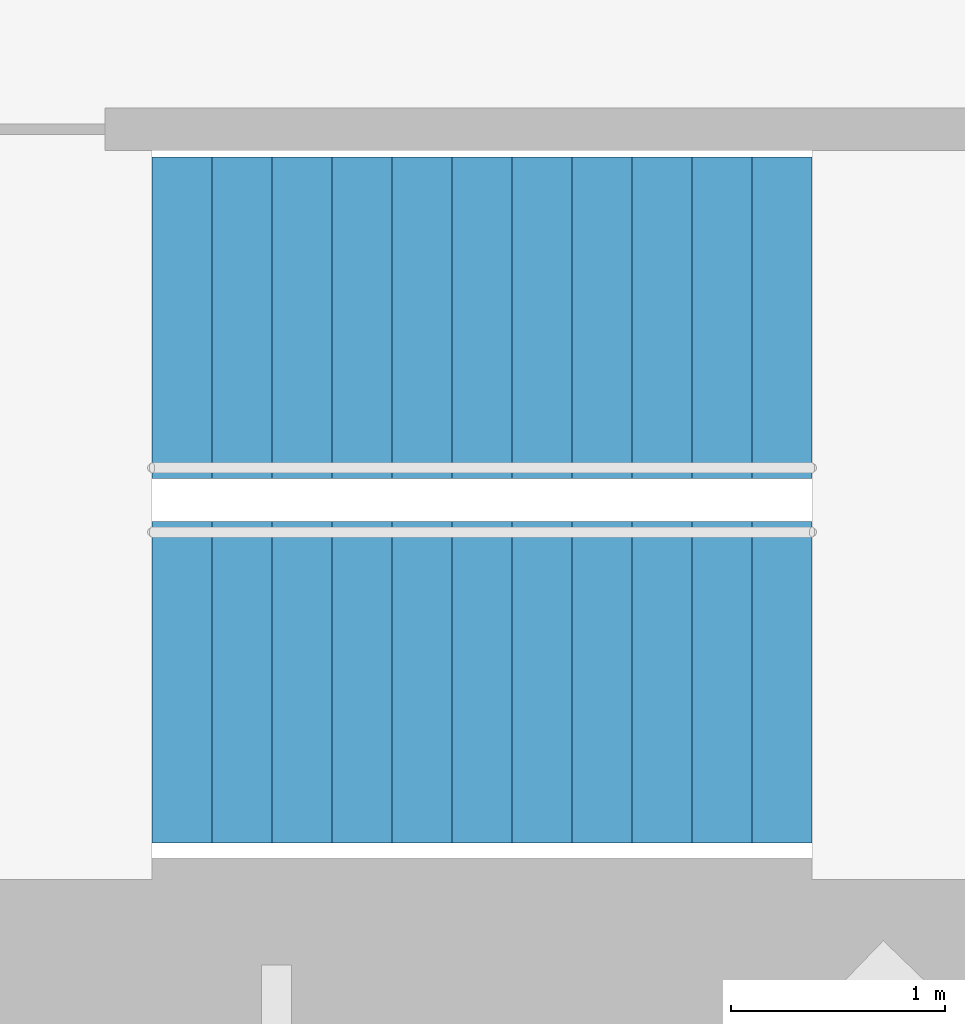
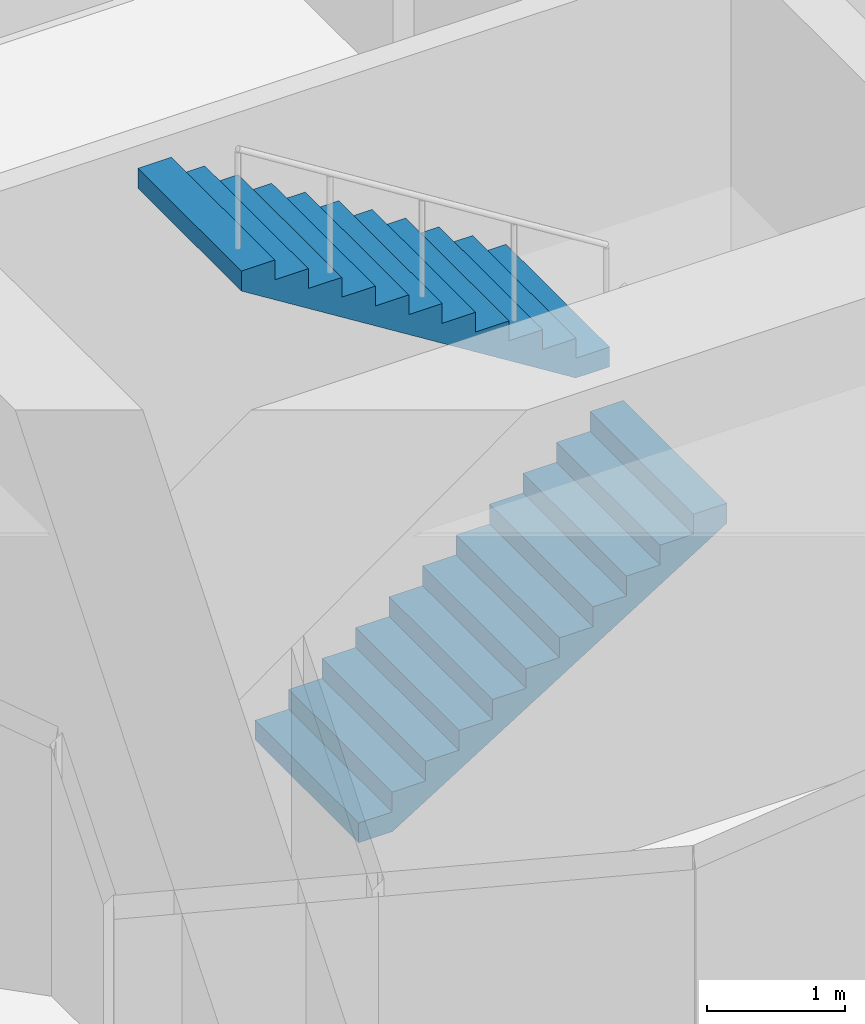
# One storey, part 16 of 18: 2 stair flights, 1 element without a shape of its own.
"""IFC4 building model written with IfcOpenShell, lengths in metres."""

import ifcopenshell
import ifcopenshell.guid

model = None  # the IFC model being written
_history = None  # IfcOwnerHistory: only IFC2X3 demands one
_inside = {}  # id of a spatial element -> (the spatial element, [elements in it])
_under = {}  # id of a project, library or spatial element -> (it, [spatial elements below it])
_declared = {}  # id of a project -> (the project, [libraries it declares])
_typed = {}  # id of a type object -> (the type object, [elements of that type])
_made_of = {}  # id of a material, layer set ... -> (it, [elements and type objects made of it])


def new_model(schema):
    """Start an empty IFC model of exactly this schema.

    Asked for "IFC4X3", IfcOpenShell would pick the latest addendum, in which some entities
    have other attributes; the version numbers below select the first issue.
    IFC2X3 requires an IfcOwnerHistory on every rooted entity: one is made here for all.
    """
    global model, _history
    if schema == "IFC4X3":
        model = ifcopenshell.file(schema_version=(4, 3, 0, 0))
    else:
        model = ifcopenshell.file(schema=schema)
    _inside.clear()
    _under.clear()
    _declared.clear()
    _typed.clear()
    _made_of.clear()
    _history = None
    if model.schema == "IFC2X3":
        org = make("IfcOrganization", Name="unknown")
        user = make(
            "IfcPersonAndOrganization",
            ThePerson=make("IfcPerson", FamilyName="unknown"),
            TheOrganization=org,
        )
        app = make(
            "IfcApplication",
            ApplicationDeveloper=org,
            Version="unknown",
            ApplicationFullName="unknown",
            ApplicationIdentifier="unknown",
        )
        _history = make(
            "IfcOwnerHistory",
            OwningUser=user,
            OwningApplication=app,
            ChangeAction="ADDED",
            CreationDate=0,
        )
    return model


def make(cls, **values):
    """One entity of the class cls with the attributes given. An attribute that is None is left unset."""
    return model.create_entity(
        cls, **{name: value for name, value in values.items() if value is not None}
    )


def rooted(cls, **values):
    """An entity with a GlobalId (a new one), such as an element, a storey or a relation."""
    return make(cls, GlobalId=ifcopenshell.guid.new(), OwnerHistory=_history, **values)


def si_unit(unit_type, name, prefix=None):
    """IfcSIUnit, for example si_unit("LENGTHUNIT", "METRE", prefix="MILLI")."""
    return make("IfcSIUnit", UnitType=unit_type, Prefix=prefix, Name=name)


def assignment(units):
    """IfcUnitAssignment: the units of a project."""
    return None if units is None else make("IfcUnitAssignment", Units=units)


def point(xyz):
    """IfcCartesianPoint."""
    return None if xyz is None else make("IfcCartesianPoint", Coordinates=xyz)


def direction(xyz):
    """IfcDirection."""
    return None if xyz is None else make("IfcDirection", DirectionRatios=xyz)


def frame(location, z_axis=None, x_axis=None):
    """IfcAxis2Placement3D, a coordinate frame: its origin and axes. An axis left out is left unset."""
    return make(
        "IfcAxis2Placement3D",
        Location=point(location),
        Axis=direction(z_axis),
        RefDirection=direction(x_axis),
    )


def origin():
    """The frame at (0, 0, 0) with its axes left unset."""
    return frame((0.0, 0.0, 0.0))


def place(relative_to, where):
    """IfcLocalPlacement: puts the frame where relative to a parent placement (None: the world)."""
    return make(
        "IfcLocalPlacement", PlacementRelTo=relative_to, RelativePlacement=where
    )


def context(
    kind, dimensions, precision=None, world=None, true_north=None, identifier=None
):
    """IfcGeometricRepresentationContext, for example the 3D "Model" context."""
    return make(
        "IfcGeometricRepresentationContext",
        ContextIdentifier=identifier,
        ContextType=kind,
        CoordinateSpaceDimension=dimensions,
        Precision=precision,
        WorldCoordinateSystem=world,
        TrueNorth=true_north,
    )


def subcontext(parent, identifier, kind, view, scale=None):
    """IfcGeometricRepresentationSubContext, for example "Body" below "Model"."""
    return make(
        "IfcGeometricRepresentationSubContext",
        ContextIdentifier=identifier,
        ContextType=kind,
        ParentContext=parent,
        TargetScale=scale,
        TargetView=view,
    )


def project(units=None, contexts=None):
    """IfcProject with its units and contexts."""
    return rooted(
        "IfcProject",
        Name="project",
        RepresentationContexts=contexts,
        UnitsInContext=assignment(units),
    )


def spatial(cls, under=None, at=None, **own):
    """A site, building, storey or space (cls), placed at a placement, below another one or the project."""
    s = rooted(cls, ObjectPlacement=at, **own)
    if under is not None:
        _under.setdefault(under.id(), (under, []))[1].append(s)
    return s


def point_list(points):
    """IfcCartesianPointList2D or 3D."""
    cls = (
        "IfcCartesianPointList2D" if len(points[0]) == 2 else "IfcCartesianPointList3D"
    )
    return make(cls, CoordList=points)


def triangles(points, corners, closed=None, point_numbers=None):
    """IfcTriangulatedFaceSet: each triangle names its three corners, points numbered from 1."""
    return make(
        "IfcTriangulatedFaceSet",
        Coordinates=point_list(points),
        Closed=closed,
        CoordIndex=corners,
        PnIndex=point_numbers,
    )


def shape(context_of_items, identifier, shape_type, items):
    """IfcShapeRepresentation: the items that make up one representation, for example the "Body"."""
    return make(
        "IfcShapeRepresentation",
        ContextOfItems=context_of_items,
        RepresentationIdentifier=identifier,
        RepresentationType=shape_type,
        Items=items,
    )


def material(Name=None, Category=None):
    """IfcMaterial."""
    return make("IfcMaterial", Name=Name, Category=Category)


def made_of(thing, what):
    """Note that an element or type object is made of a material, layer set ...; save() writes the relation."""
    if what is not None:
        _made_of.setdefault(what.id(), (what, []))[1].append(thing)
    return thing


def type_object(cls, material=None, **own):
    """A type object (cls), such as IfcWallType, which elements share."""
    return made_of(rooted(cls, **own), material)


def element(
    cls,
    number,
    at=None,
    inside=None,
    cuts=None,
    type_object=None,
    material=None,
    context=None,
    identifier="Body",
    shape_type=None,
    held_by="IfcProductDefinitionShape",
    body=None,
    shapes=None,
    **own,
):
    """One element of the class cls, such as IfcWall. Its Tag is "e" and its number.

    at: its placement. inside: the storey or other place that contains it. cuts: it is an
    opening in that element (IfcRelVoidsElement). A single representation is given by context,
    identifier, shape_type and body (its items); several are given by shapes. held_by: the class
    of the entity that holds the representations. save() writes the other relations.
    """
    e = rooted(cls, Tag="e%d" % number, ObjectPlacement=at, **own)
    if body is not None:
        shapes = [shape(context, identifier, shape_type, body)]
    if shapes is not None:
        e.Representation = make(held_by, Representations=shapes)
    if inside is not None:
        _inside.setdefault(inside.id(), (inside, []))[1].append(e)
    if cuts is not None:
        rooted(
            "IfcRelVoidsElement", RelatingBuildingElement=cuts, RelatedOpeningElement=e
        )
    if type_object is not None:
        _typed.setdefault(type_object.id(), (type_object, []))[1].append(e)
    return made_of(e, material)


def aggregate(whole, parts):
    """IfcRelAggregates: a whole, such as a stair, and the parts it consists of."""
    return rooted("IfcRelAggregates", RelatingObject=whole, RelatedObjects=parts)


def save(model, path):
    """Write the relations noted so far, then the file.

    IfcRelAggregates (storeys below a building ...), IfcRelContainedInSpatialStructure (elements
    in a storey), IfcRelDefinesByType, IfcRelAssociatesMaterial and IfcRelDeclares: one each for
    every whole, place, type object, material and project.
    """
    for whole, parts in _under.values():
        aggregate(whole, parts)
    for where, things in _inside.values():
        rooted(
            "IfcRelContainedInSpatialStructure",
            RelatedElements=things,
            RelatingStructure=where,
        )
    for kind, things in _typed.values():
        rooted("IfcRelDefinesByType", RelatedObjects=things, RelatingType=kind)
    for what, things in _made_of.values():
        rooted("IfcRelAssociatesMaterial", RelatedObjects=things, RelatingMaterial=what)
    for by, libraries in _declared.values():
        rooted("IfcRelDeclares", RelatingContext=by, RelatedDefinitions=libraries)
    model.write(path)


model = new_model("IFC4")

# Units and contexts
model_context = context("Model", 3, precision=1e-05, world=origin(), true_north=direction((0.0, 1.0)))
body_context = subcontext(model_context, "Body", "Model", "MODEL_VIEW")
ifc_project = project(units=[si_unit("LENGTHUNIT", "METRE"), si_unit("AREAUNIT", "SQUARE_METRE"), si_unit("VOLUMEUNIT", "CUBIC_METRE"), si_unit("PLANEANGLEUNIT", "RADIAN"), si_unit("MASSUNIT", "GRAM", prefix="KILO")], contexts=[model_context])

# Site, building, storey
site_placement = place(None, origin())
site = spatial("IfcSite", under=ifc_project, at=site_placement, CompositionType="ELEMENT")
building_placement = place(site_placement, origin())
building = spatial("IfcBuilding", under=site, at=building_placement, Name="Lantaw Convention Tower", CompositionType="ELEMENT")
storey_placement = place(building_placement, frame((0.0, 0.0, 236.800048828125)))
storey = spatial("IfcBuildingStorey", under=building, at=storey_placement, Name="L55", CompositionType="ELEMENT", Elevation=236.800048828125)

# Stair, stair flights
ifc_material = material(Name="Concrete C35/45", Category="concrete")
stair_type = type_object("IfcStairType", Name="Exit stair 1500 riser 175 in 2 flights", PredefinedType="HALF_TURN_STAIR", material=ifc_material)
stair_placement = place(storey_placement, origin())
stair = element("IfcStair", 1, at=stair_placement, inside=storey, type_object=stair_type, Name="Exit stair S1 L55", PredefinedType="HALF_TURN_STAIR")
stair_flight_type = type_object("IfcStairFlightType", Name="Stair flight 1500 riser 175", PredefinedType="STRAIGHT", material=ifc_material)
stair_flight_1_placement = place(storey_placement, frame((-10.580078125, -5.97998046875, 0.0), z_axis=(0.0, 0.0, 1.0), x_axis=(1.0, 0.0, 0.0)))
stair_flight_1 = element("IfcStairFlight", 2, at=stair_flight_1_placement, type_object=stair_flight_type, Name="S1 flight 1", NumberOfRisers=12, NumberOfTreads=11, PredefinedType="STRAIGHT", RiserHeight=0.175, TreadLength=0.28, context=body_context, shape_type="Tessellation", body=[
    triangles([(0.0, 0.75, 0.0), (0.0, 0.75, 0.175), (0.28, 0.75, 0.0), (0.28, 0.75, 0.175), (0.28, 0.75, 0.35), (0.28283517651771284, 0.75, 0.0), (0.28283517651771284, 0.75, 0.35), (0.56, 0.75, 0.17322801467642948), (0.56, 0.75, 0.35), (0.56, 0.75, 0.5249999999999999), (0.8400000000000001, 0.75, 0.34822801467642944), (0.8400000000000001, 0.75, 0.5249999999999999), (0.8400000000000001, 0.75, 0.7), (1.12, 0.75, 0.5232280146764294), (1.12, 0.75, 0.7), (1.12, 0.75, 0.875), (1.4000000000000001, 0.75, 0.6982280146764295), (1.4000000000000001, 0.75, 0.875), (1.4000000000000001, 0.75, 1.0499999999999998), (1.6800000000000002, 0.75, 0.8732280146764294), (1.6800000000000002, 0.75, 1.0499999999999998), (1.6800000000000002, 0.75, 1.2249999999999999), (1.9600000000000002, 0.75, 1.0482280146764293), (1.9600000000000002, 0.75, 1.2249999999999999), (1.9600000000000002, 0.75, 1.4), (2.24, 0.75, 1.2232280146764294), (2.24, 0.75, 1.4), (2.24, 0.75, 1.575), (2.5200000000000005, 0.75, 1.3982280146764294), (2.5200000000000005, 0.75, 1.575), (2.5200000000000005, 0.75, 1.75), (2.8000000000000003, 0.75, 1.5732280146764293), (2.8000000000000003, 0.75, 1.75), (2.8000000000000003, 0.75, 1.9249999999999998), (3.08, 0.75, 1.7482280146764293), (3.08, 0.75, 1.9249999999999998), (0.0, -0.75, 0.0), (0.0, -0.75, 0.175), (0.28, -0.75, 0.0), (0.28, -0.75, 0.175), (0.28, -0.75, 0.35), (0.28283517651771284, -0.75, 0.0), (0.28283517651771284, -0.75, 0.35), (0.56, -0.75, 0.17322801467642948), (0.56, -0.75, 0.35), (0.56, -0.75, 0.5249999999999999), (0.8400000000000001, -0.75, 0.34822801467642944), (0.8400000000000001, -0.75, 0.5249999999999999), (0.8400000000000001, -0.75, 0.7), (1.12, -0.75, 0.5232280146764294), (1.12, -0.75, 0.7), (1.12, -0.75, 0.875), (1.4000000000000001, -0.75, 0.6982280146764295), (1.4000000000000001, -0.75, 0.875), (1.4000000000000001, -0.75, 1.0499999999999998), (1.6800000000000002, -0.75, 0.8732280146764294), (1.6800000000000002, -0.75, 1.0499999999999998), (1.6800000000000002, -0.75, 1.2249999999999999), (1.9600000000000002, -0.75, 1.0482280146764293), (1.9600000000000002, -0.75, 1.2249999999999999), (1.9600000000000002, -0.75, 1.4), (2.24, -0.75, 1.2232280146764294), (2.24, -0.75, 1.4), (2.24, -0.75, 1.575), (2.5200000000000005, -0.75, 1.3982280146764294), (2.5200000000000005, -0.75, 1.575), (2.5200000000000005, -0.75, 1.75), (2.8000000000000003, -0.75, 1.5732280146764293), (2.8000000000000003, -0.75, 1.75), (2.8000000000000003, -0.75, 1.9249999999999998), (3.08, -0.75, 1.7482280146764293), (3.08, -0.75, 1.9249999999999998), (0.0, 0.15000000000000002, 0.175), (0.0, 0.15000000000000002, 0.0), (0.0, 0.0, 0.175), (0.0, 0.0, 0.0), (0.0, -0.15000000000000002, 0.175), (0.0, -0.15000000000000002, 0.0), (0.28, 0.15000000000000002, 0.35), (0.28, 0.15000000000000002, 0.175), (0.28, 0.0, 0.35), (0.28, 0.0, 0.175), (0.28, -0.15000000000000002, 0.35), (0.28, -0.15000000000000002, 0.175), (0.56, 0.15000000000000002, 0.5249999999999999), (0.56, 0.15000000000000002, 0.35), (0.56, 0.0, 0.5249999999999999), (0.56, 0.0, 0.35), (0.56, -0.15000000000000002, 0.5249999999999999), (0.56, -0.15000000000000002, 0.35), (0.8400000000000001, 0.15000000000000002, 0.7), (0.8400000000000001, 0.15000000000000002, 0.5249999999999999), (0.8400000000000001, 0.0, 0.7), (0.8400000000000001, 0.0, 0.5249999999999999), (0.8400000000000001, -0.15000000000000002, 0.7), (0.8400000000000001, -0.15000000000000002, 0.5249999999999999), (1.12, 0.15000000000000002, 0.875), (1.12, 0.15000000000000002, 0.7), (1.12, 0.0, 0.875), (1.12, 0.0, 0.7), (1.12, -0.15000000000000002, 0.875), (1.12, -0.15000000000000002, 0.7), (1.4000000000000001, 0.15000000000000002, 1.0499999999999998), (1.4000000000000001, 0.15000000000000002, 0.875), (1.4000000000000001, 0.0, 1.0499999999999998), (1.4000000000000001, 0.0, 0.875), (1.4000000000000001, -0.15000000000000002, 1.0499999999999998), (1.4000000000000001, -0.15000000000000002, 0.875), (1.6800000000000002, 0.15000000000000002, 1.2249999999999999), (1.6800000000000002, 0.15000000000000002, 1.0499999999999998), (1.6800000000000002, 0.0, 1.2249999999999999), (1.6800000000000002, 0.0, 1.0499999999999998), (1.6800000000000002, -0.15000000000000002, 1.2249999999999999), (1.6800000000000002, -0.15000000000000002, 1.0499999999999998), (1.9600000000000002, 0.15000000000000002, 1.4), (1.9600000000000002, 0.15000000000000002, 1.2249999999999999), (1.9600000000000002, 0.0, 1.4), (1.9600000000000002, 0.0, 1.2249999999999999), (1.9600000000000002, -0.15000000000000002, 1.4), (1.9600000000000002, -0.15000000000000002, 1.2249999999999999), (2.24, 0.15000000000000002, 1.575), (2.24, 0.15000000000000002, 1.4), (2.24, 0.0, 1.575), (2.24, 0.0, 1.4), (2.24, -0.15000000000000002, 1.575), (2.24, -0.15000000000000002, 1.4), (2.5200000000000005, 0.15000000000000002, 1.75), (2.5200000000000005, 0.15000000000000002, 1.575), (2.5200000000000005, 0.0, 1.75), (2.5200000000000005, 0.0, 1.575), (2.5200000000000005, -0.15000000000000002, 1.75), (2.5200000000000005, -0.15000000000000002, 1.575), (2.8000000000000003, 0.15000000000000002, 1.9249999999999998), (2.8000000000000003, 0.15000000000000002, 1.75), (2.8000000000000003, 0.0, 1.9249999999999998), (2.8000000000000003, 0.0, 1.75), (2.8000000000000003, -0.15000000000000002, 1.9249999999999998), (2.8000000000000003, -0.15000000000000002, 1.75), (0.28283517651771284, 0.15000000000000002, 0.35), (0.28283517651771284, 0.0, 0.35), (0.28283517651771284, -0.15000000000000002, 0.35), (3.08, 0.15000000000000002, 1.9249999999999998), (3.08, 0.0, 1.9249999999999998), (3.08, -0.15000000000000002, 1.9249999999999998), (3.08, 0.15000000000000002, 1.7482280146764293), (3.08, 0.0, 1.7482280146764293), (3.08, -0.15000000000000002, 1.7482280146764293), (2.8000000000000003, 0.15000000000000002, 1.5732280146764293), (2.8000000000000003, 0.0, 1.5732280146764293), (2.8000000000000003, -0.15000000000000002, 1.5732280146764293), (2.5200000000000005, 0.15000000000000002, 1.3982280146764294), (2.5200000000000005, 0.0, 1.3982280146764294), (2.5200000000000005, -0.15000000000000002, 1.3982280146764294), (2.24, 0.15000000000000002, 1.2232280146764294), (2.24, 0.0, 1.2232280146764294), (2.24, -0.15000000000000002, 1.2232280146764294), (1.9600000000000002, 0.15000000000000002, 1.0482280146764293), (1.9600000000000002, 0.0, 1.0482280146764293), (1.9600000000000002, -0.15000000000000002, 1.0482280146764293), (1.6800000000000002, 0.15000000000000002, 0.8732280146764294), (1.6800000000000002, 0.0, 0.8732280146764294), (1.6800000000000002, -0.15000000000000002, 0.8732280146764294), (1.4000000000000001, 0.15000000000000002, 0.6982280146764295), (1.4000000000000001, 0.0, 0.6982280146764295), (1.4000000000000001, -0.15000000000000002, 0.6982280146764295), (1.12, 0.15000000000000002, 0.5232280146764294), (1.12, 0.0, 0.5232280146764294), (1.12, -0.15000000000000002, 0.5232280146764294), (0.8400000000000001, 0.15000000000000002, 0.34822801467642944), (0.8400000000000001, 0.0, 0.34822801467642944), (0.8400000000000001, -0.15000000000000002, 0.34822801467642944), (0.56, 0.15000000000000002, 0.17322801467642948), (0.56, 0.0, 0.17322801467642948), (0.56, -0.15000000000000002, 0.17322801467642948), (0.28283517651771284, 0.15000000000000002, 0.0), (0.28283517651771284, 0.0, 0.0), (0.28283517651771284, -0.15000000000000002, 0.0), (0.28, 0.15000000000000002, 0.0), (0.28, 0.0, 0.0), (0.28, -0.15000000000000002, 0.0)], [[1, 4, 3], [1, 2, 4], [3, 4, 6], [4, 7, 6], [4, 5, 7], [6, 9, 8], [6, 7, 9], [8, 9, 11], [9, 12, 11], [9, 10, 12], [11, 12, 14], [12, 15, 14], [12, 13, 15], [14, 15, 17], [15, 18, 17], [15, 16, 18], [17, 18, 20], [18, 21, 20], [18, 19, 21], [20, 21, 23], [21, 24, 23], [21, 22, 24], [23, 24, 26], [24, 27, 26], [24, 25, 27], [26, 27, 29], [27, 30, 29], [27, 28, 30], [29, 30, 32], [30, 33, 32], [30, 31, 33], [32, 33, 35], [33, 36, 35], [33, 34, 36], [37, 39, 40], [37, 40, 38], [39, 42, 40], [40, 42, 43], [40, 43, 41], [42, 44, 45], [42, 45, 43], [44, 47, 45], [45, 47, 48], [45, 48, 46], [47, 50, 48], [48, 50, 51], [48, 51, 49], [50, 53, 51], [51, 53, 54], [51, 54, 52], [53, 56, 54], [54, 56, 57], [54, 57, 55], [56, 59, 57], [57, 59, 60], [57, 60, 58], [59, 62, 60], [60, 62, 63], [60, 63, 61], [62, 65, 63], [63, 65, 66], [63, 66, 64], [65, 68, 66], [66, 68, 69], [66, 69, 67], [68, 71, 69], [69, 71, 72], [69, 72, 70], [1, 73, 2], [1, 74, 73], [74, 75, 73], [74, 76, 75], [76, 77, 75], [76, 78, 77], [78, 38, 77], [78, 37, 38], [4, 79, 5], [4, 80, 79], [80, 81, 79], [80, 82, 81], [82, 83, 81], [82, 84, 83], [84, 41, 83], [84, 40, 41], [9, 85, 10], [9, 86, 85], [86, 87, 85], [86, 88, 87], [88, 89, 87], [88, 90, 89], [90, 46, 89], [90, 45, 46], [12, 91, 13], [12, 92, 91], [92, 93, 91], [92, 94, 93], [94, 95, 93], [94, 96, 95], [96, 49, 95], [96, 48, 49], [15, 97, 16], [15, 98, 97], [98, 99, 97], [98, 100, 99], [100, 101, 99], [100, 102, 101], [102, 52, 101], [102, 51, 52], [18, 103, 19], [18, 104, 103], [104, 105, 103], [104, 106, 105], [106, 107, 105], [106, 108, 107], [108, 55, 107], [108, 54, 55], [21, 109, 22], [21, 110, 109], [110, 111, 109], [110, 112, 111], [112, 113, 111], [112, 114, 113], [114, 58, 113], [114, 57, 58], [24, 115, 25], [24, 116, 115], [116, 117, 115], [116, 118, 117], [118, 119, 117], [118, 120, 119], [120, 61, 119], [120, 60, 61], [27, 121, 28], [27, 122, 121], [122, 123, 121], [122, 124, 123], [124, 125, 123], [124, 126, 125], [126, 64, 125], [126, 63, 64], [30, 127, 31], [30, 128, 127], [128, 129, 127], [128, 130, 129], [130, 131, 129], [130, 132, 131], [132, 67, 131], [132, 66, 67], [33, 133, 34], [33, 134, 133], [134, 135, 133], [134, 136, 135], [136, 137, 135], [136, 138, 137], [138, 70, 137], [138, 69, 70], [2, 80, 4], [2, 73, 80], [73, 82, 80], [73, 75, 82], [75, 84, 82], [75, 77, 84], [77, 40, 84], [77, 38, 40], [5, 139, 7], [5, 79, 139], [79, 140, 139], [79, 81, 140], [81, 141, 140], [81, 83, 141], [83, 43, 141], [83, 41, 43], [7, 86, 9], [7, 139, 86], [139, 88, 86], [139, 140, 88], [140, 90, 88], [140, 141, 90], [141, 45, 90], [141, 43, 45], [10, 92, 12], [10, 85, 92], [85, 94, 92], [85, 87, 94], [87, 96, 94], [87, 89, 96], [89, 48, 96], [89, 46, 48], [13, 98, 15], [13, 91, 98], [91, 100, 98], [91, 93, 100], [93, 102, 100], [93, 95, 102], [95, 51, 102], [95, 49, 51], [16, 104, 18], [16, 97, 104], [97, 106, 104], [97, 99, 106], [99, 108, 106], [99, 101, 108], [101, 54, 108], [101, 52, 54], [19, 110, 21], [19, 103, 110], [103, 112, 110], [103, 105, 112], [105, 114, 112], [105, 107, 114], [107, 57, 114], [107, 55, 57], [22, 116, 24], [22, 109, 116], [109, 118, 116], [109, 111, 118], [111, 120, 118], [111, 113, 120], [113, 60, 120], [113, 58, 60], [25, 122, 27], [25, 115, 122], [115, 124, 122], [115, 117, 124], [117, 126, 124], [117, 119, 126], [119, 63, 126], [119, 61, 63], [28, 128, 30], [28, 121, 128], [121, 130, 128], [121, 123, 130], [123, 132, 130], [123, 125, 132], [125, 66, 132], [125, 64, 66], [31, 134, 33], [31, 127, 134], [127, 136, 134], [127, 129, 136], [129, 138, 136], [129, 131, 138], [131, 69, 138], [131, 67, 69], [34, 142, 36], [34, 133, 142], [133, 143, 142], [133, 135, 143], [135, 144, 143], [135, 137, 144], [137, 72, 144], [137, 70, 72], [36, 145, 35], [36, 142, 145], [142, 146, 145], [142, 143, 146], [143, 147, 146], [143, 144, 147], [144, 71, 147], [144, 72, 71], [35, 148, 32], [35, 145, 148], [145, 149, 148], [145, 146, 149], [146, 150, 149], [146, 147, 150], [147, 68, 150], [147, 71, 68], [32, 151, 29], [32, 148, 151], [148, 152, 151], [148, 149, 152], [149, 153, 152], [149, 150, 153], [150, 65, 153], [150, 68, 65], [29, 154, 26], [29, 151, 154], [151, 155, 154], [151, 152, 155], [152, 156, 155], [152, 153, 156], [153, 62, 156], [153, 65, 62], [26, 157, 23], [26, 154, 157], [154, 158, 157], [154, 155, 158], [155, 159, 158], [155, 156, 159], [156, 59, 159], [156, 62, 59], [23, 160, 20], [23, 157, 160], [157, 161, 160], [157, 158, 161], [158, 162, 161], [158, 159, 162], [159, 56, 162], [159, 59, 56], [20, 163, 17], [20, 160, 163], [160, 164, 163], [160, 161, 164], [161, 165, 164], [161, 162, 165], [162, 53, 165], [162, 56, 53], [17, 166, 14], [17, 163, 166], [163, 167, 166], [163, 164, 167], [164, 168, 167], [164, 165, 168], [165, 50, 168], [165, 53, 50], [14, 169, 11], [14, 166, 169], [166, 170, 169], [166, 167, 170], [167, 171, 170], [167, 168, 171], [168, 47, 171], [168, 50, 47], [11, 172, 8], [11, 169, 172], [169, 173, 172], [169, 170, 173], [170, 174, 173], [170, 171, 174], [171, 44, 174], [171, 47, 44], [8, 175, 6], [8, 172, 175], [172, 176, 175], [172, 173, 176], [173, 177, 176], [173, 174, 177], [174, 42, 177], [174, 44, 42], [6, 178, 3], [6, 175, 178], [175, 179, 178], [175, 176, 179], [176, 180, 179], [176, 177, 180], [177, 39, 180], [177, 42, 39], [3, 74, 1], [3, 178, 74], [178, 76, 74], [178, 179, 76], [179, 78, 76], [179, 180, 78], [180, 37, 78], [180, 39, 37]], closed=True),
])
stair_flight_2_placement = place(storey_placement, frame((-7.5, -4.280029296875, 2.099853515625), z_axis=(0.0, 0.0, 1.0), x_axis=(-1.0, 0.0, 0.0)))
stair_flight_2 = element("IfcStairFlight", 3, at=stair_flight_2_placement, type_object=stair_flight_type, Name="S1 flight 2", NumberOfRisers=12, NumberOfTreads=11, PredefinedType="STRAIGHT", RiserHeight=0.175, TreadLength=0.28, context=body_context, shape_type="Tessellation", body=[
    triangles([(0.0, 0.75, 0.0), (0.0, 0.75, 0.175), (0.28, 0.75, 0.0), (0.28, 0.75, 0.175), (0.28, 0.75, 0.35), (0.28283517651771284, 0.75, 0.0), (0.28283517651771284, 0.75, 0.35), (0.56, 0.75, 0.17322801467642948), (0.56, 0.75, 0.35), (0.56, 0.75, 0.5249999999999999), (0.8400000000000001, 0.75, 0.34822801467642944), (0.8400000000000001, 0.75, 0.5249999999999999), (0.8400000000000001, 0.75, 0.7), (1.12, 0.75, 0.5232280146764294), (1.12, 0.75, 0.7), (1.12, 0.75, 0.875), (1.4000000000000001, 0.75, 0.6982280146764295), (1.4000000000000001, 0.75, 0.875), (1.4000000000000001, 0.75, 1.0499999999999998), (1.6800000000000002, 0.75, 0.8732280146764294), (1.6800000000000002, 0.75, 1.0499999999999998), (1.6800000000000002, 0.75, 1.2249999999999999), (1.9600000000000002, 0.75, 1.0482280146764293), (1.9600000000000002, 0.75, 1.2249999999999999), (1.9600000000000002, 0.75, 1.4), (2.24, 0.75, 1.2232280146764294), (2.24, 0.75, 1.4), (2.24, 0.75, 1.575), (2.5200000000000005, 0.75, 1.3982280146764294), (2.5200000000000005, 0.75, 1.575), (2.5200000000000005, 0.75, 1.75), (2.8000000000000003, 0.75, 1.5732280146764293), (2.8000000000000003, 0.75, 1.75), (2.8000000000000003, 0.75, 1.9249999999999998), (3.08, 0.75, 1.7482280146764293), (3.08, 0.75, 1.9249999999999998), (0.0, -0.75, 0.0), (0.0, -0.75, 0.175), (0.28, -0.75, 0.0), (0.28, -0.75, 0.175), (0.28, -0.75, 0.35), (0.28283517651771284, -0.75, 0.0), (0.28283517651771284, -0.75, 0.35), (0.56, -0.75, 0.17322801467642948), (0.56, -0.75, 0.35), (0.56, -0.75, 0.5249999999999999), (0.8400000000000001, -0.75, 0.34822801467642944), (0.8400000000000001, -0.75, 0.5249999999999999), (0.8400000000000001, -0.75, 0.7), (1.12, -0.75, 0.5232280146764294), (1.12, -0.75, 0.7), (1.12, -0.75, 0.875), (1.4000000000000001, -0.75, 0.6982280146764295), (1.4000000000000001, -0.75, 0.875), (1.4000000000000001, -0.75, 1.0499999999999998), (1.6800000000000002, -0.75, 0.8732280146764294), (1.6800000000000002, -0.75, 1.0499999999999998), (1.6800000000000002, -0.75, 1.2249999999999999), (1.9600000000000002, -0.75, 1.0482280146764293), (1.9600000000000002, -0.75, 1.2249999999999999), (1.9600000000000002, -0.75, 1.4), (2.24, -0.75, 1.2232280146764294), (2.24, -0.75, 1.4), (2.24, -0.75, 1.575), (2.5200000000000005, -0.75, 1.3982280146764294), (2.5200000000000005, -0.75, 1.575), (2.5200000000000005, -0.75, 1.75), (2.8000000000000003, -0.75, 1.5732280146764293), (2.8000000000000003, -0.75, 1.75), (2.8000000000000003, -0.75, 1.9249999999999998), (3.08, -0.75, 1.7482280146764293), (3.08, -0.75, 1.9249999999999998), (0.0, 0.15000000000000002, 0.175), (0.0, 0.15000000000000002, 0.0), (0.0, 0.0, 0.175), (0.0, 0.0, 0.0), (0.0, -0.15000000000000002, 0.175), (0.0, -0.15000000000000002, 0.0), (0.28, 0.15000000000000002, 0.35), (0.28, 0.15000000000000002, 0.175), (0.28, 0.0, 0.35), (0.28, 0.0, 0.175), (0.28, -0.15000000000000002, 0.35), (0.28, -0.15000000000000002, 0.175), (0.56, 0.15000000000000002, 0.5249999999999999), (0.56, 0.15000000000000002, 0.35), (0.56, 0.0, 0.5249999999999999), (0.56, 0.0, 0.35), (0.56, -0.15000000000000002, 0.5249999999999999), (0.56, -0.15000000000000002, 0.35), (0.8400000000000001, 0.15000000000000002, 0.7), (0.8400000000000001, 0.15000000000000002, 0.5249999999999999), (0.8400000000000001, 0.0, 0.7), (0.8400000000000001, 0.0, 0.5249999999999999), (0.8400000000000001, -0.15000000000000002, 0.7), (0.8400000000000001, -0.15000000000000002, 0.5249999999999999), (1.12, 0.15000000000000002, 0.875), (1.12, 0.15000000000000002, 0.7), (1.12, 0.0, 0.875), (1.12, 0.0, 0.7), (1.12, -0.15000000000000002, 0.875), (1.12, -0.15000000000000002, 0.7), (1.4000000000000001, 0.15000000000000002, 1.0499999999999998), (1.4000000000000001, 0.15000000000000002, 0.875), (1.4000000000000001, 0.0, 1.0499999999999998), (1.4000000000000001, 0.0, 0.875), (1.4000000000000001, -0.15000000000000002, 1.0499999999999998), (1.4000000000000001, -0.15000000000000002, 0.875), (1.6800000000000002, 0.15000000000000002, 1.2249999999999999), (1.6800000000000002, 0.15000000000000002, 1.0499999999999998), (1.6800000000000002, 0.0, 1.2249999999999999), (1.6800000000000002, 0.0, 1.0499999999999998), (1.6800000000000002, -0.15000000000000002, 1.2249999999999999), (1.6800000000000002, -0.15000000000000002, 1.0499999999999998), (1.9600000000000002, 0.15000000000000002, 1.4), (1.9600000000000002, 0.15000000000000002, 1.2249999999999999), (1.9600000000000002, 0.0, 1.4), (1.9600000000000002, 0.0, 1.2249999999999999), (1.9600000000000002, -0.15000000000000002, 1.4), (1.9600000000000002, -0.15000000000000002, 1.2249999999999999), (2.24, 0.15000000000000002, 1.575), (2.24, 0.15000000000000002, 1.4), (2.24, 0.0, 1.575), (2.24, 0.0, 1.4), (2.24, -0.15000000000000002, 1.575), (2.24, -0.15000000000000002, 1.4), (2.5200000000000005, 0.15000000000000002, 1.75), (2.5200000000000005, 0.15000000000000002, 1.575), (2.5200000000000005, 0.0, 1.75), (2.5200000000000005, 0.0, 1.575), (2.5200000000000005, -0.15000000000000002, 1.75), (2.5200000000000005, -0.15000000000000002, 1.575), (2.8000000000000003, 0.15000000000000002, 1.9249999999999998), (2.8000000000000003, 0.15000000000000002, 1.75), (2.8000000000000003, 0.0, 1.9249999999999998), (2.8000000000000003, 0.0, 1.75), (2.8000000000000003, -0.15000000000000002, 1.9249999999999998), (2.8000000000000003, -0.15000000000000002, 1.75), (0.28283517651771284, 0.15000000000000002, 0.35), (0.28283517651771284, 0.0, 0.35), (0.28283517651771284, -0.15000000000000002, 0.35), (3.08, 0.15000000000000002, 1.9249999999999998), (3.08, 0.0, 1.9249999999999998), (3.08, -0.15000000000000002, 1.9249999999999998), (3.08, 0.15000000000000002, 1.7482280146764293), (3.08, 0.0, 1.7482280146764293), (3.08, -0.15000000000000002, 1.7482280146764293), (2.8000000000000003, 0.15000000000000002, 1.5732280146764293), (2.8000000000000003, 0.0, 1.5732280146764293), (2.8000000000000003, -0.15000000000000002, 1.5732280146764293), (2.5200000000000005, 0.15000000000000002, 1.3982280146764294), (2.5200000000000005, 0.0, 1.3982280146764294), (2.5200000000000005, -0.15000000000000002, 1.3982280146764294), (2.24, 0.15000000000000002, 1.2232280146764294), (2.24, 0.0, 1.2232280146764294), (2.24, -0.15000000000000002, 1.2232280146764294), (1.9600000000000002, 0.15000000000000002, 1.0482280146764293), (1.9600000000000002, 0.0, 1.0482280146764293), (1.9600000000000002, -0.15000000000000002, 1.0482280146764293), (1.6800000000000002, 0.15000000000000002, 0.8732280146764294), (1.6800000000000002, 0.0, 0.8732280146764294), (1.6800000000000002, -0.15000000000000002, 0.8732280146764294), (1.4000000000000001, 0.15000000000000002, 0.6982280146764295), (1.4000000000000001, 0.0, 0.6982280146764295), (1.4000000000000001, -0.15000000000000002, 0.6982280146764295), (1.12, 0.15000000000000002, 0.5232280146764294), (1.12, 0.0, 0.5232280146764294), (1.12, -0.15000000000000002, 0.5232280146764294), (0.8400000000000001, 0.15000000000000002, 0.34822801467642944), (0.8400000000000001, 0.0, 0.34822801467642944), (0.8400000000000001, -0.15000000000000002, 0.34822801467642944), (0.56, 0.15000000000000002, 0.17322801467642948), (0.56, 0.0, 0.17322801467642948), (0.56, -0.15000000000000002, 0.17322801467642948), (0.28283517651771284, 0.15000000000000002, 0.0), (0.28283517651771284, 0.0, 0.0), (0.28283517651771284, -0.15000000000000002, 0.0), (0.28, 0.15000000000000002, 0.0), (0.28, 0.0, 0.0), (0.28, -0.15000000000000002, 0.0)], [[1, 4, 3], [1, 2, 4], [3, 4, 6], [4, 7, 6], [4, 5, 7], [6, 9, 8], [6, 7, 9], [8, 9, 11], [9, 12, 11], [9, 10, 12], [11, 12, 14], [12, 15, 14], [12, 13, 15], [14, 15, 17], [15, 18, 17], [15, 16, 18], [17, 18, 20], [18, 21, 20], [18, 19, 21], [20, 21, 23], [21, 24, 23], [21, 22, 24], [23, 24, 26], [24, 27, 26], [24, 25, 27], [26, 27, 29], [27, 30, 29], [27, 28, 30], [29, 30, 32], [30, 33, 32], [30, 31, 33], [32, 33, 35], [33, 36, 35], [33, 34, 36], [37, 39, 40], [37, 40, 38], [39, 42, 40], [40, 42, 43], [40, 43, 41], [42, 44, 45], [42, 45, 43], [44, 47, 45], [45, 47, 48], [45, 48, 46], [47, 50, 48], [48, 50, 51], [48, 51, 49], [50, 53, 51], [51, 53, 54], [51, 54, 52], [53, 56, 54], [54, 56, 57], [54, 57, 55], [56, 59, 57], [57, 59, 60], [57, 60, 58], [59, 62, 60], [60, 62, 63], [60, 63, 61], [62, 65, 63], [63, 65, 66], [63, 66, 64], [65, 68, 66], [66, 68, 69], [66, 69, 67], [68, 71, 69], [69, 71, 72], [69, 72, 70], [1, 73, 2], [1, 74, 73], [74, 75, 73], [74, 76, 75], [76, 77, 75], [76, 78, 77], [78, 38, 77], [78, 37, 38], [4, 79, 5], [4, 80, 79], [80, 81, 79], [80, 82, 81], [82, 83, 81], [82, 84, 83], [84, 41, 83], [84, 40, 41], [9, 85, 10], [9, 86, 85], [86, 87, 85], [86, 88, 87], [88, 89, 87], [88, 90, 89], [90, 46, 89], [90, 45, 46], [12, 91, 13], [12, 92, 91], [92, 93, 91], [92, 94, 93], [94, 95, 93], [94, 96, 95], [96, 49, 95], [96, 48, 49], [15, 97, 16], [15, 98, 97], [98, 99, 97], [98, 100, 99], [100, 101, 99], [100, 102, 101], [102, 52, 101], [102, 51, 52], [18, 103, 19], [18, 104, 103], [104, 105, 103], [104, 106, 105], [106, 107, 105], [106, 108, 107], [108, 55, 107], [108, 54, 55], [21, 109, 22], [21, 110, 109], [110, 111, 109], [110, 112, 111], [112, 113, 111], [112, 114, 113], [114, 58, 113], [114, 57, 58], [24, 115, 25], [24, 116, 115], [116, 117, 115], [116, 118, 117], [118, 119, 117], [118, 120, 119], [120, 61, 119], [120, 60, 61], [27, 121, 28], [27, 122, 121], [122, 123, 121], [122, 124, 123], [124, 125, 123], [124, 126, 125], [126, 64, 125], [126, 63, 64], [30, 127, 31], [30, 128, 127], [128, 129, 127], [128, 130, 129], [130, 131, 129], [130, 132, 131], [132, 67, 131], [132, 66, 67], [33, 133, 34], [33, 134, 133], [134, 135, 133], [134, 136, 135], [136, 137, 135], [136, 138, 137], [138, 70, 137], [138, 69, 70], [2, 80, 4], [2, 73, 80], [73, 82, 80], [73, 75, 82], [75, 84, 82], [75, 77, 84], [77, 40, 84], [77, 38, 40], [5, 139, 7], [5, 79, 139], [79, 140, 139], [79, 81, 140], [81, 141, 140], [81, 83, 141], [83, 43, 141], [83, 41, 43], [7, 86, 9], [7, 139, 86], [139, 88, 86], [139, 140, 88], [140, 90, 88], [140, 141, 90], [141, 45, 90], [141, 43, 45], [10, 92, 12], [10, 85, 92], [85, 94, 92], [85, 87, 94], [87, 96, 94], [87, 89, 96], [89, 48, 96], [89, 46, 48], [13, 98, 15], [13, 91, 98], [91, 100, 98], [91, 93, 100], [93, 102, 100], [93, 95, 102], [95, 51, 102], [95, 49, 51], [16, 104, 18], [16, 97, 104], [97, 106, 104], [97, 99, 106], [99, 108, 106], [99, 101, 108], [101, 54, 108], [101, 52, 54], [19, 110, 21], [19, 103, 110], [103, 112, 110], [103, 105, 112], [105, 114, 112], [105, 107, 114], [107, 57, 114], [107, 55, 57], [22, 116, 24], [22, 109, 116], [109, 118, 116], [109, 111, 118], [111, 120, 118], [111, 113, 120], [113, 60, 120], [113, 58, 60], [25, 122, 27], [25, 115, 122], [115, 124, 122], [115, 117, 124], [117, 126, 124], [117, 119, 126], [119, 63, 126], [119, 61, 63], [28, 128, 30], [28, 121, 128], [121, 130, 128], [121, 123, 130], [123, 132, 130], [123, 125, 132], [125, 66, 132], [125, 64, 66], [31, 134, 33], [31, 127, 134], [127, 136, 134], [127, 129, 136], [129, 138, 136], [129, 131, 138], [131, 69, 138], [131, 67, 69], [34, 142, 36], [34, 133, 142], [133, 143, 142], [133, 135, 143], [135, 144, 143], [135, 137, 144], [137, 72, 144], [137, 70, 72], [36, 145, 35], [36, 142, 145], [142, 146, 145], [142, 143, 146], [143, 147, 146], [143, 144, 147], [144, 71, 147], [144, 72, 71], [35, 148, 32], [35, 145, 148], [145, 149, 148], [145, 146, 149], [146, 150, 149], [146, 147, 150], [147, 68, 150], [147, 71, 68], [32, 151, 29], [32, 148, 151], [148, 152, 151], [148, 149, 152], [149, 153, 152], [149, 150, 153], [150, 65, 153], [150, 68, 65], [29, 154, 26], [29, 151, 154], [151, 155, 154], [151, 152, 155], [152, 156, 155], [152, 153, 156], [153, 62, 156], [153, 65, 62], [26, 157, 23], [26, 154, 157], [154, 158, 157], [154, 155, 158], [155, 159, 158], [155, 156, 159], [156, 59, 159], [156, 62, 59], [23, 160, 20], [23, 157, 160], [157, 161, 160], [157, 158, 161], [158, 162, 161], [158, 159, 162], [159, 56, 162], [159, 59, 56], [20, 163, 17], [20, 160, 163], [160, 164, 163], [160, 161, 164], [161, 165, 164], [161, 162, 165], [162, 53, 165], [162, 56, 53], [17, 166, 14], [17, 163, 166], [163, 167, 166], [163, 164, 167], [164, 168, 167], [164, 165, 168], [165, 50, 168], [165, 53, 50], [14, 169, 11], [14, 166, 169], [166, 170, 169], [166, 167, 170], [167, 171, 170], [167, 168, 171], [168, 47, 171], [168, 50, 47], [11, 172, 8], [11, 169, 172], [169, 173, 172], [169, 170, 173], [170, 174, 173], [170, 171, 174], [171, 44, 174], [171, 47, 44], [8, 175, 6], [8, 172, 175], [172, 176, 175], [172, 173, 176], [173, 177, 176], [173, 174, 177], [174, 42, 177], [174, 44, 42], [6, 178, 3], [6, 175, 178], [175, 179, 178], [175, 176, 179], [176, 180, 179], [176, 177, 180], [177, 39, 180], [177, 42, 39], [3, 74, 1], [3, 178, 74], [178, 76, 74], [178, 179, 76], [179, 78, 76], [179, 180, 78], [180, 37, 78], [180, 39, 37]], closed=True),
])
aggregate(stair, [stair_flight_1, stair_flight_2])

save(model, "model.ifc")
